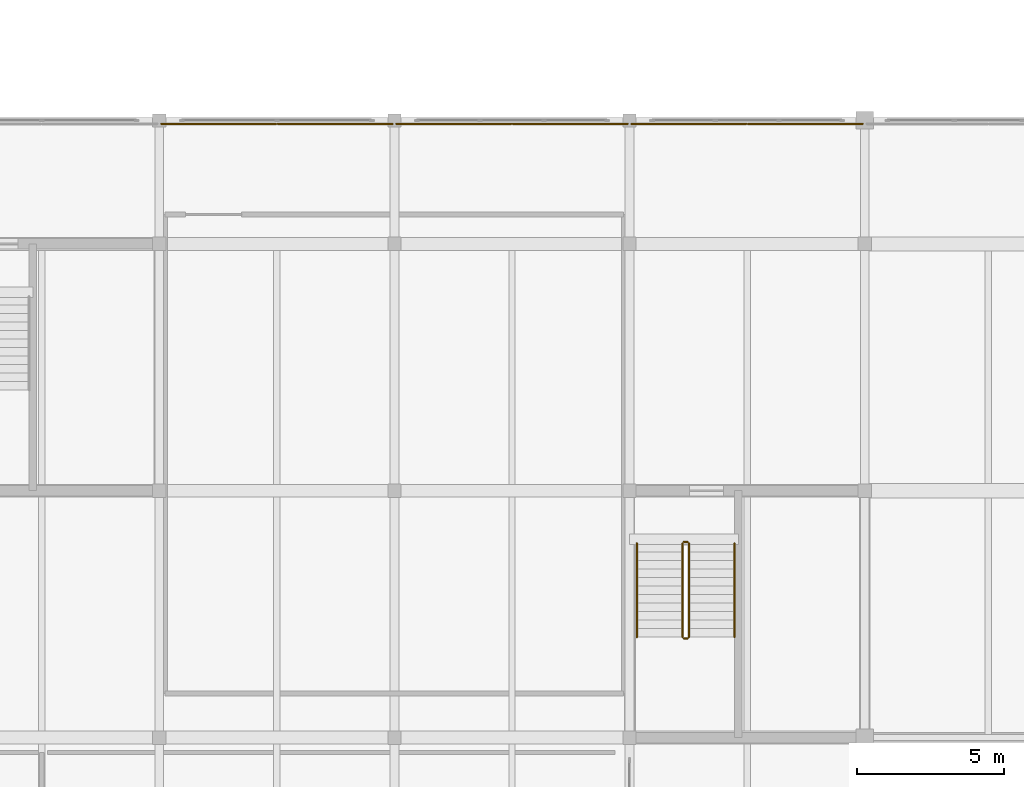
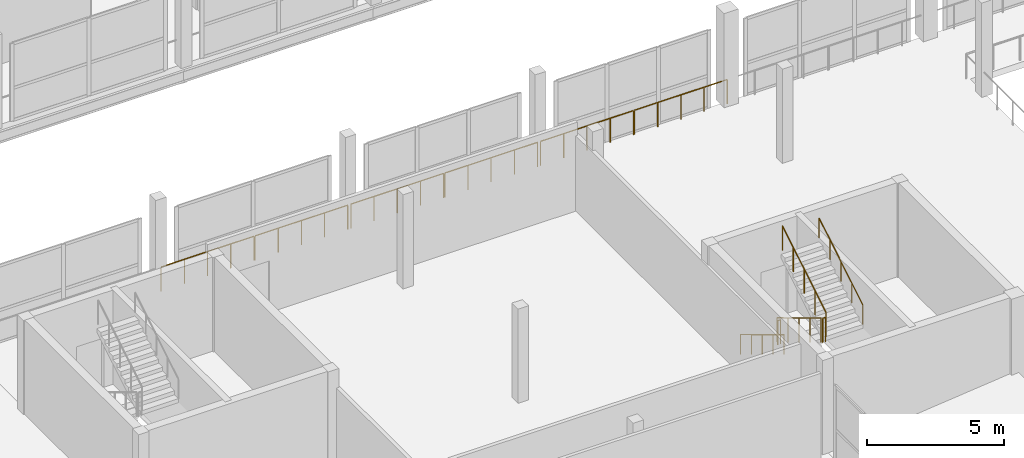
# One storey, part 48 of 53: 12 railings.
"""IFC4 building model written with IfcOpenShell, lengths in metres."""

from ifc_helpers import new_model, si_unit, direction, frame, origin, origin_2d, place, context, subcontext, project, spatial, circle, extrude, material, type_object, element, save


model = new_model("IFC4")

# Units and contexts
model_context = context("Model", 3, precision=1e-05, world=origin(), true_north=direction((0.0, 1.0)))
body_context = subcontext(model_context, "Body", "Model", "MODEL_VIEW")
ifc_project = project(units=[si_unit("LENGTHUNIT", "METRE"), si_unit("AREAUNIT", "SQUARE_METRE"), si_unit("VOLUMEUNIT", "CUBIC_METRE"), si_unit("PLANEANGLEUNIT", "RADIAN"), si_unit("MASSUNIT", "GRAM", prefix="KILO")], contexts=[model_context])

# Site, building, storey
site_placement = place(None, origin())
site = spatial("IfcSite", under=ifc_project, at=site_placement, CompositionType="ELEMENT")
building_placement = place(site_placement, origin())
building = spatial("IfcBuilding", under=site, at=building_placement, Name="Vharandega Faculty of Natural Sciences", CompositionType="ELEMENT")
storey_placement = place(building_placement, frame((0.0, 0.0, 10.199951171875)))
storey = spatial("IfcBuildingStorey", under=building, at=storey_placement, Name="L02", CompositionType="ELEMENT", Elevation=10.199951171875)

# Railings
ifc_material_1 = material(Name="Timber-capped steel and glass balustrade", Category="steel")
railing_type_1 = type_object("IfcRailingType", Name="Atrium Void Balustrade 1100", PredefinedType="BALUSTRADE", material=ifc_material_1)
for number, where, name in (
    (1, (32.06494140625, 84.8798828125, 0.0), "Atrium Glass Balustrade L02 #4"),
    (2, (36.02490234375, 84.8798828125, 0.0), "Atrium Glass Balustrade L02 #5"),
    (3, (40.06494140625, 84.8798828125, 0.0), "Atrium Glass Balustrade L02 #7"),
    (4, (44.02490234375, 84.8798828125, 0.0), "Atrium Glass Balustrade L02 #8"),
    (5, (48.06494140625, 84.8798828125, 0.0), "Atrium Glass Balustrade L02 #10"),
    (6, (52.02490234375, 84.8798828125, 0.0), "Atrium Glass Balustrade L02 #11"),
):
    element("IfcRailing", number, at=place(storey_placement, frame(where)), inside=storey, type_object=railing_type_1, Name=name, PredefinedType="BALUSTRADE", context=body_context, shape_type="SweptSolid", body=[
        extrude(circle(Radius=0.02392578125, at=origin_2d()), frame((0.0, 0.0, 1.076171875), z_axis=(1.0, 0.0, 0.0), x_axis=(0.0, 1.0, 0.0)), (0.0, 0.0, 1.0), 3.91015625),
        extrude(circle(Radius=0.02099609375, at=origin_2d()), origin(), (0.0, 0.0, 1.0), 1.052001953125),
        extrude(circle(Radius=0.02099609375, at=origin_2d()), frame((0.9775390625, 0.0, 0.0)), (0.0, 0.0, 1.0), 1.052001953125),
        extrude(circle(Radius=0.02099609375, at=origin_2d()), frame((1.955078125, 0.0, 0.0)), (0.0, 0.0, 1.0), 1.052001953125),
        extrude(circle(Radius=0.02099609375, at=origin_2d()), frame((2.9326171875, 0.0, 0.0)), (0.0, 0.0, 1.0), 1.052001953125),
        extrude(circle(Radius=0.02099609375, at=origin_2d()), frame((3.91015625, 0.0, 0.0)), (0.0, 0.0, 1.0), 1.052001953125),
    ])
ifc_material_2 = material(Name="Brushed stainless steel handrail", Category="steel")
railing_type_2 = type_object("IfcRailingType", Name="Stair Tubular Handrail 900", PredefinedType="HANDRAIL", material=ifc_material_2)
railing_1_placement = place(storey_placement, frame((48.25, 70.610107421875, 0.175048828125)))
element("IfcRailing", 7, at=railing_1_placement, inside=storey, type_object=railing_type_2, Name="L02 ST5 stair handrail 1", PredefinedType="HANDRAIL", context=body_context, shape_type="SweptSolid", body=[
    extrude(circle(Radius=0.02392578125, at=origin_2d()), frame((0.0, 0.0, 0.8759765625), z_axis=(0.0, -0.856195157123, 0.516652545643), x_axis=(1.0, 0.0, 0.0)), (0.0, 0.0, 1.0), 3.72607421875),
    extrude(circle(Radius=0.02099609375, at=origin_2d()), origin(), (0.0, 0.0, 1.0), 0.851806640625),
    extrude(circle(Radius=0.02099609375, at=origin_2d()), frame((0.0, -0.797607421875, 0.481201171875)), (0.0, 0.0, 1.0), 0.851806640625),
    extrude(circle(Radius=0.02099609375, at=origin_2d()), frame((0.0, -1.59521484375, 0.96240234375)), (0.0, 0.0, 1.0), 0.851806640625),
    extrude(circle(Radius=0.02099609375, at=origin_2d()), frame((0.0, -2.392578125, 1.44384765625)), (0.0, 0.0, 1.0), 0.851806640625),
    extrude(circle(Radius=0.02099609375, at=origin_2d()), frame((0.0, -3.190185546875, 1.925048828125)), (0.0, 0.0, 1.0), 0.851806640625),
])
railing_2_placement = place(storey_placement, frame((51.570068359375, 67.419921875, 2.275146484375)))
element("IfcRailing", 8, at=railing_2_placement, inside=storey, type_object=railing_type_2, Name="L02 ST5 stair handrail 2", PredefinedType="HANDRAIL", context=body_context, shape_type="SweptSolid", body=[
    extrude(circle(Radius=0.02392578125, at=origin_2d()), frame((0.0, 0.0, 0.8759765625), z_axis=(0.0, 0.856224141417, 0.516604509905), x_axis=(-1.0, 0.0, 0.0)), (0.0, 0.0, 1.0), 3.725830078125),
    extrude(circle(Radius=0.02099609375, at=origin_2d()), origin(), (0.0, 0.0, 1.0), 0.851806640625),
    extrude(circle(Radius=0.02099609375, at=origin_2d()), frame((0.0, 0.797607421875, 0.481201171875)), (0.0, 0.0, 1.0), 0.851806640625),
    extrude(circle(Radius=0.02099609375, at=origin_2d()), frame((0.0, 1.59521484375, 0.96240234375)), (0.0, 0.0, 1.0), 0.851806640625),
    extrude(circle(Radius=0.02099609375, at=origin_2d()), frame((0.0, 2.392578125, 1.443603515625)), (0.0, 0.0, 1.0), 0.851806640625),
    extrude(circle(Radius=0.02099609375, at=origin_2d()), frame((0.0, 3.190185546875, 1.9248046875)), (0.0, 0.0, 1.0), 0.851806640625),
])
ifc_material_3 = material(Name="Painted steel stair guardrail", Category="steel")
railing_type_3 = type_object("IfcRailingType", Name="Stairwell Steel Guardrail 1100", PredefinedType="GUARDRAIL", material=ifc_material_3)
railing_3_placement = place(storey_placement, frame((49.800048828125, 70.610107421875, 0.175048828125)))
element("IfcRailing", 9, at=railing_3_placement, inside=storey, type_object=railing_type_3, Name="L02 ST5 stair guard 1", PredefinedType="GUARDRAIL", context=body_context, shape_type="SweptSolid", body=[
    extrude(circle(Radius=0.02392578125, at=origin_2d()), frame((0.0, 0.0, 1.076171875), z_axis=(0.0, -0.856195157123, 0.516652545643), x_axis=(1.0, 0.0, 0.0)), (0.0, 0.0, 1.0), 3.72607421875),
    extrude(circle(Radius=0.02099609375, at=origin_2d()), origin(), (0.0, 0.0, 1.0), 1.052001953125),
    extrude(circle(Radius=0.02099609375, at=origin_2d()), frame((0.0, -0.797607421875, 0.481201171875)), (0.0, 0.0, 1.0), 1.052001953125),
    extrude(circle(Radius=0.02099609375, at=origin_2d()), frame((0.0, -1.59521484375, 0.96240234375)), (0.0, 0.0, 1.0), 1.052001953125),
    extrude(circle(Radius=0.02099609375, at=origin_2d()), frame((0.0, -2.392578125, 1.44384765625)), (0.0, 0.0, 1.0), 1.052001953125),
    extrude(circle(Radius=0.02099609375, at=origin_2d()), frame((0.0, -3.190185546875, 1.925048828125)), (0.0, 0.0, 1.0), 1.052001953125),
])
railing_4_placement = place(storey_placement, frame((49.85009765625, 67.3701171875, 2.10009765625)))
element("IfcRailing", 10, at=railing_4_placement, inside=storey, type_object=railing_type_3, Name="L02 ST5 stair guard 2", PredefinedType="GUARDRAIL", context=body_context, shape_type="SweptSolid", body=[
    extrude(circle(Radius=0.02392578125, at=origin_2d()), frame((0.0, 0.0, 1.076171875), z_axis=(1.0, 0.0, 0.0), x_axis=(0.0, 1.0, 0.0)), (0.0, 0.0, 1.0), 0.119873046875),
    extrude(circle(Radius=0.02099609375, at=origin_2d()), origin(), (0.0, 0.0, 1.0), 1.052001953125),
    extrude(circle(Radius=0.02099609375, at=origin_2d()), frame((0.119873046875, 0.0, 0.0)), (0.0, 0.0, 1.0), 1.052001953125),
])
railing_5_placement = place(storey_placement, frame((50.02001953125, 67.419921875, 2.275146484375)))
element("IfcRailing", 11, at=railing_5_placement, inside=storey, type_object=railing_type_3, Name="L02 ST5 stair guard 3", PredefinedType="GUARDRAIL", context=body_context, shape_type="SweptSolid", body=[
    extrude(circle(Radius=0.02392578125, at=origin_2d()), frame((0.0, 0.0, 1.076171875), z_axis=(0.0, 0.856224141417, 0.516604509905), x_axis=(-1.0, 0.0, 0.0)), (0.0, 0.0, 1.0), 3.725830078125),
    extrude(circle(Radius=0.02099609375, at=origin_2d()), origin(), (0.0, 0.0, 1.0), 1.052001953125),
    extrude(circle(Radius=0.02099609375, at=origin_2d()), frame((0.0, 0.797607421875, 0.481201171875)), (0.0, 0.0, 1.0), 1.052001953125),
    extrude(circle(Radius=0.02099609375, at=origin_2d()), frame((0.0, 1.59521484375, 0.96240234375)), (0.0, 0.0, 1.0), 1.052001953125),
    extrude(circle(Radius=0.02099609375, at=origin_2d()), frame((0.0, 2.392578125, 1.443603515625)), (0.0, 0.0, 1.0), 1.052001953125),
    extrude(circle(Radius=0.02099609375, at=origin_2d()), frame((0.0, 3.190185546875, 1.9248046875)), (0.0, 0.0, 1.0), 1.052001953125),
])
railing_6_placement = place(storey_placement, frame((49.85009765625, 70.659912109375, 0.0)))
element("IfcRailing", 12, at=railing_6_placement, inside=storey, type_object=railing_type_3, Name="L02 ST5 stair guard 4", PredefinedType="GUARDRAIL", context=body_context, shape_type="SweptSolid", body=[
    extrude(circle(Radius=0.02392578125, at=origin_2d()), frame((0.0, 0.0, 1.076171875), z_axis=(1.0, 0.0, 0.0), x_axis=(0.0, 1.0, 0.0)), (0.0, 0.0, 1.0), 0.119873046875),
    extrude(circle(Radius=0.02099609375, at=origin_2d()), origin(), (0.0, 0.0, 1.0), 1.052001953125),
    extrude(circle(Radius=0.02099609375, at=origin_2d()), frame((0.119873046875, 0.0, 0.0)), (0.0, 0.0, 1.0), 1.052001953125),
])

save(model, "model.ifc")
